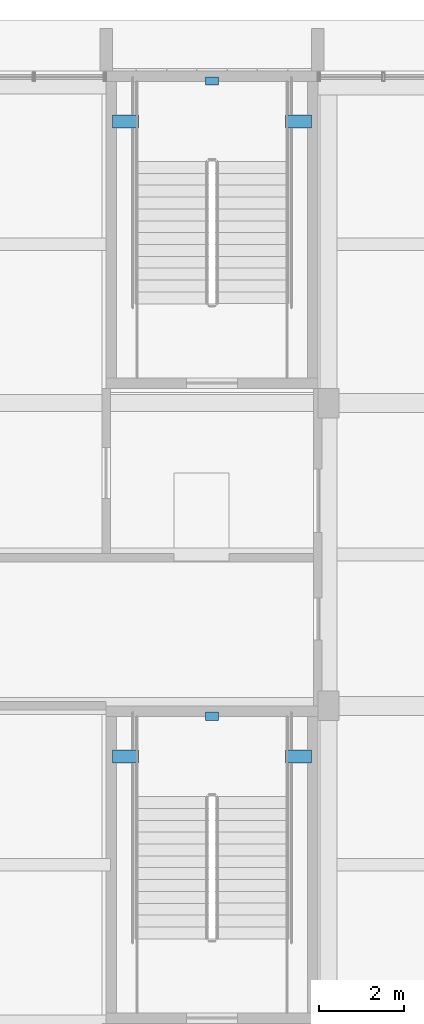
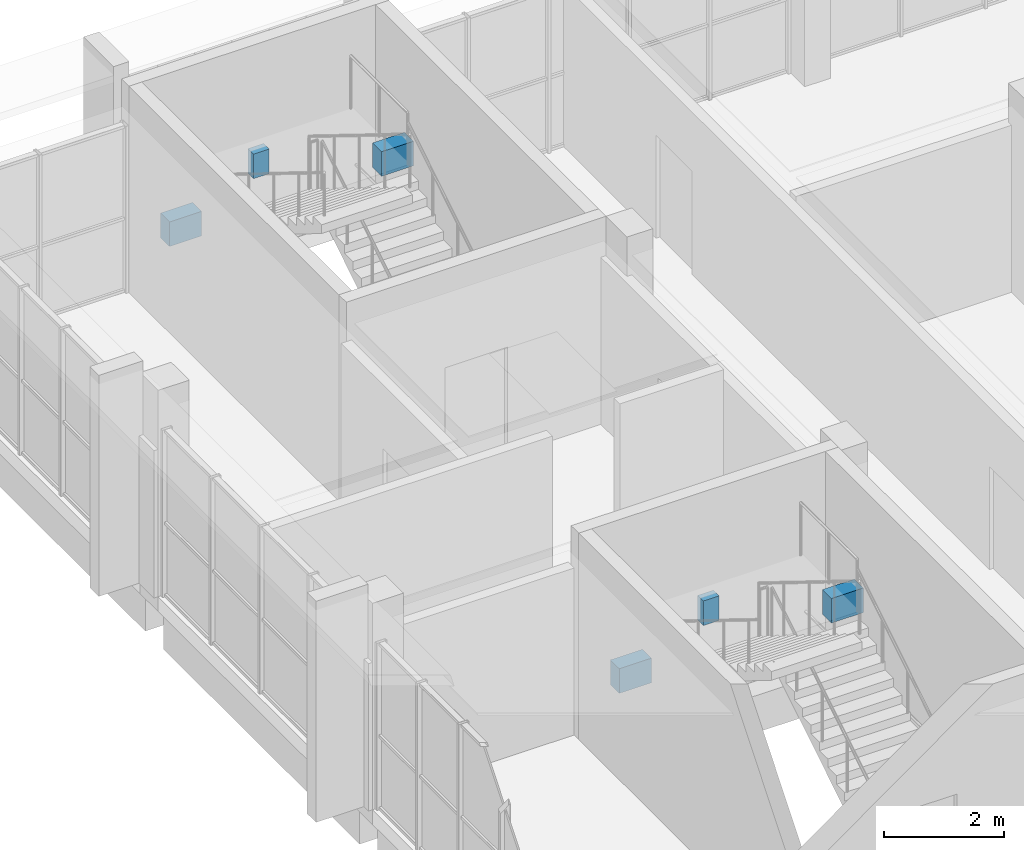
# One storey, part 21 of 42: 6 beams.
"""IFC4 building model written with IfcOpenShell, lengths in metres."""

from ifc_helpers import new_model, si_unit, direction, frame, origin, origin_2d, place, context, subcontext, project, spatial, rectangle, extrude, material, material_profile, profile_set, type_object, element, save


model = new_model("IFC4")

# Units and contexts
model_context = context("Model", 3, precision=1e-05, world=origin(), true_north=direction((0.0, 1.0)))
body_context = subcontext(model_context, "Body", "Model", "MODEL_VIEW")
ifc_project = project(units=[si_unit("LENGTHUNIT", "METRE"), si_unit("AREAUNIT", "SQUARE_METRE"), si_unit("VOLUMEUNIT", "CUBIC_METRE"), si_unit("PLANEANGLEUNIT", "RADIAN"), si_unit("MASSUNIT", "GRAM", prefix="KILO")], contexts=[model_context])

# Site, building, storey
site_placement = place(None, origin())
site = spatial("IfcSite", under=ifc_project, at=site_placement, CompositionType="ELEMENT")
building_placement = place(site_placement, origin())
building = spatial("IfcBuilding", under=site, at=building_placement, Name="Sun Court Science Centre", CompositionType="ELEMENT")
storey_placement = place(building_placement, frame((0.0, 0.0, 20.25)))
storey = spatial("IfcBuildingStorey", under=building, at=storey_placement, Name="L04", CompositionType="ELEMENT", Elevation=20.25)

# Beams
ifc_material = material(Name="Concrete C25/30", Category="concrete")
ifc_material_profile = material_profile(ifc_material, rectangle(XDim=0.300048828125, YDim=0.5, at=origin_2d()), Name="RC 300x500")
ifc_profile_set = profile_set([ifc_material_profile], Name="Concrete C25/30")
beam_type = type_object("IfcBeamType", Name="RC landing trimmer 300x500", PredefinedType="BEAM", material=ifc_profile_set)
for number, where, z_axis, x_axis, name in (
    (1, (86.85009765625, 64.803955078125, 1.800048828125), (-1.0, 0.0, 0.0), (0.0, -1.0, 0.0), "SL3 landing 1 trimmer beam 25"),
    (2, (82.14990234375, 64.803955078125, 1.800048828125), (1.0, 0.0, 0.0), (0.0, 1.0, 0.0), "SL3 landing 1 trimmer beam 26"),
):
    element("IfcBeam", number, at=place(storey_placement, frame(where, z_axis=z_axis, x_axis=x_axis)), inside=storey, type_object=beam_type, Name=name, PredefinedType="BEAM", context=body_context, shape_type="SweptSolid", body=[
        extrude(rectangle(XDim=0.300048828125, YDim=0.5, at=origin_2d()), origin(), (0.0, 0.0, 1.0), 0.6171875),
    ])
beam_1_placement = place(storey_placement, frame((84.5, 65.85009765625, 1.800048828125), z_axis=(0.0, -1.0, 0.0), x_axis=(1.0, 0.0, 0.0)))
element("IfcBeam", 3, at=beam_1_placement, inside=storey, type_object=beam_type, Name="SL3 landing 1 trimmer beam 27", PredefinedType="BEAM", context=body_context, shape_type="SweptSolid", body=[
    extrude(rectangle(XDim=0.300048828125, YDim=0.5, at=origin_2d()), origin(), (0.0, 0.0, 1.0), 0.190185546875),
])
for number, where, z_axis, x_axis, name in (
    (4, (86.85009765625, 79.803955078125, 1.800048828125), (-1.0, 0.0, 0.0), (0.0, -1.0, 0.0), "SL4 landing 1 trimmer beam 25"),
    (5, (82.14990234375, 79.803955078125, 1.800048828125), (1.0, 0.0, 0.0), (0.0, 1.0, 0.0), "SL4 landing 1 trimmer beam 26"),
):
    element("IfcBeam", number, at=place(storey_placement, frame(where, z_axis=z_axis, x_axis=x_axis)), inside=storey, type_object=beam_type, Name=name, PredefinedType="BEAM", context=body_context, shape_type="SweptSolid", body=[
        extrude(rectangle(XDim=0.300048828125, YDim=0.5, at=origin_2d()), origin(), (0.0, 0.0, 1.0), 0.6171875),
    ])
beam_2_placement = place(storey_placement, frame((84.5, 80.85009765625, 1.800048828125), z_axis=(0.0, -1.0, 0.0), x_axis=(1.0, 0.0, 0.0)))
element("IfcBeam", 6, at=beam_2_placement, inside=storey, type_object=beam_type, Name="SL4 landing 1 trimmer beam 27", PredefinedType="BEAM", context=body_context, shape_type="SweptSolid", body=[
    extrude(rectangle(XDim=0.300048828125, YDim=0.5, at=origin_2d()), origin(), (0.0, 0.0, 1.0), 0.190185546875),
])

save(model, "model.ifc")
